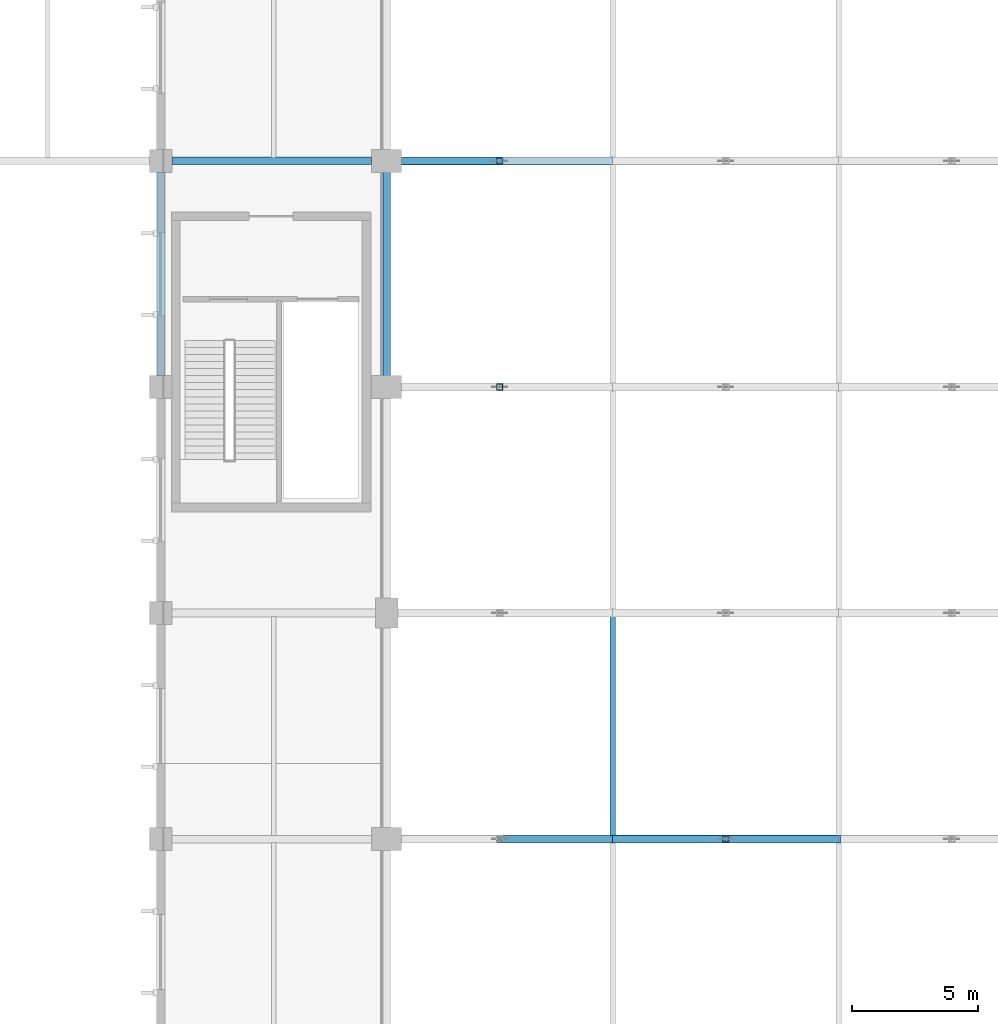
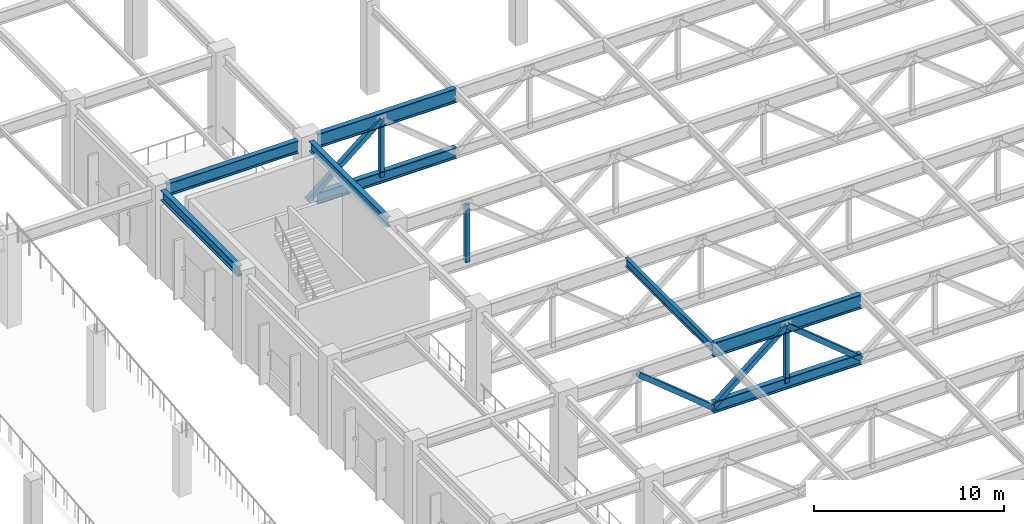
# One storey, part 21 of 223: 8 beams, 7 members.
"""IFC4 building model written with IfcOpenShell, lengths in metres."""

from ifc_helpers import new_model, si_unit, direction, frame, origin, origin_2d, place, context, subcontext, project, spatial, hollow_rectangle, i_section, extrude, material, material_profile, profile_set, type_object, element, save


model = new_model("IFC4")

# Units and contexts
model_context = context("Model", 3, precision=1e-05, world=origin(), true_north=direction((0.0, 1.0)))
body_context = subcontext(model_context, "Body", "Model", "MODEL_VIEW")
ifc_project = project(units=[si_unit("LENGTHUNIT", "METRE"), si_unit("AREAUNIT", "SQUARE_METRE"), si_unit("VOLUMEUNIT", "CUBIC_METRE"), si_unit("PLANEANGLEUNIT", "RADIAN"), si_unit("MASSUNIT", "GRAM", prefix="KILO")], contexts=[model_context])

# Site, building, storey
site_placement = place(None, origin())
site = spatial("IfcSite", under=ifc_project, at=site_placement, CompositionType="ELEMENT")
building_placement = place(site_placement, origin())
building = spatial("IfcBuilding", under=site, at=building_placement, Name="Dornveld Trade and Exhibition Forum", CompositionType="ELEMENT")
storey_placement = place(building_placement, frame((0.0, 0.0, 6.0)))
storey = spatial("IfcBuildingStorey", under=building, at=storey_placement, Name="L01", CompositionType="ELEMENT", Elevation=6.0)

# Beams
ifc_material_1 = material(Name="Steel S355J2", Category="steel")
ifc_material_profile_1 = material_profile(ifc_material_1, i_section(OverallWidth=0.300048828125, OverallDepth=0.64990234375, WebThickness=0.01611328125, FlangeThickness=0.031005859375, FilletRadius=0.027099609375, at=origin_2d()), Name="HEB 650")
ifc_profile_set_1 = profile_set([ifc_material_profile_1], Name="Steel S355J2")
beam_type_1 = type_object("IfcBeamType", Name="BM-GIR-HEB650", PredefinedType="USERDEFINED", material=ifc_profile_set_1)
for number, where, z_axis, x_axis, name in (
    (1, (18.0, 117.446044921875, 5.324951171875), (0.0, 1.0, 0.0), (-1.0, 0.0, 0.0), "L01 Y-girder 1134"),
    (2, (27.0, 117.446044921875, 5.31298828125), (0.0, 1.0, 0.0), (-1.0, 0.0, 0.0), "L01 Y-girder 1144"),
):
    element("IfcBeam", number, at=place(storey_placement, frame(where, z_axis=z_axis, x_axis=x_axis)), inside=storey, type_object=beam_type_1, Name=name, ObjectType="GIRDER", PredefinedType="USERDEFINED", context=body_context, shape_type="SweptSolid", body=[
        extrude(i_section(OverallWidth=0.300048828125, OverallDepth=0.64990234375, WebThickness=0.01611328125, FlangeThickness=0.031005859375, FilletRadius=0.027099609375, at=origin_2d()), origin(), (0.0, 0.0, 1.0), 8.10791015625),
    ])
ifc_material_2 = material(Name="Steel S355J2", Category="steel")
ifc_material_profile_2 = material_profile(ifc_material_2, i_section(OverallWidth=0.300048828125, OverallDepth=0.800048828125, WebThickness=0.017578125, FlangeThickness=0.032958984375, FilletRadius=0.030029296875, at=origin_2d()), Name="HEB 800")
ifc_profile_set_2 = profile_set([ifc_material_profile_2], Name="Steel S355J2")
beam_type_2 = type_object("IfcBeamType", Name="BM-GIR-HEB800", PredefinedType="USERDEFINED", material=ifc_profile_set_2)
beam_1_placement = place(storey_placement, frame((18.446044921875, 126.0, 5.25), z_axis=(1.0, 0.0, 0.0), x_axis=(0.0, 1.0, 0.0)))
element("IfcBeam", 3, at=beam_1_placement, inside=storey, type_object=beam_type_2, Name="L01 X-girder 1076", ObjectType="GIRDER", PredefinedType="USERDEFINED", context=body_context, shape_type="SweptSolid", body=[
    extrude(i_section(OverallWidth=0.300048828125, OverallDepth=0.800048828125, WebThickness=0.017578125, FlangeThickness=0.032958984375, FilletRadius=0.030029296875, at=origin_2d()), origin(), (0.0, 0.0, 1.0), 7.9580078125),
])
ifc_material_3 = material(Name="Steel S355J2", Category="steel")
ifc_material_profile_3 = material_profile(ifc_material_3, i_section(OverallWidth=0.2099609375, OverallDepth=0.550048828125, WebThickness=0.010986328125, FlangeThickness=0.01708984375, FilletRadius=0.02392578125, at=origin_2d()), Name="IPE 550")
ifc_profile_set_3 = profile_set([ifc_material_profile_3], Name="Steel S355J2")
beam_type_3 = type_object("IfcBeamType", Name="BM-SEC-550", PredefinedType="BEAM", material=ifc_profile_set_3)
beam_2_placement = place(storey_placement, frame((36.0, 99.0, 5.364990234375), z_axis=(0.0, 1.0, 0.0), x_axis=(-1.0, 0.0, 0.0)))
element("IfcBeam", 4, at=beam_2_placement, inside=storey, type_object=beam_type_3, Name="Hall 3 secondary deck beam 1381", PredefinedType="BEAM", context=body_context, shape_type="SweptSolid", body=[
    extrude(i_section(OverallWidth=0.2099609375, OverallDepth=0.550048828125, WebThickness=0.010986328125, FlangeThickness=0.01708984375, FilletRadius=0.02392578125, at=origin_2d()), origin(), (0.0, 0.0, 1.0), 9.0),
])
ifc_material_4 = material(Name="Steel S355J2", Category="steel")
ifc_material_profile_4 = material_profile(ifc_material_4, i_section(OverallWidth=0.303955078125, OverallDepth=0.716064453125, WebThickness=0.02099609375, FlangeThickness=0.0400390625, FilletRadius=0.027099609375, at=origin_2d()), Name="HEM 700")
ifc_profile_set_4 = profile_set([ifc_material_profile_4], Name="Steel S355J2")
beam_type_4 = type_object("IfcBeamType", Name="BM-TG-BOT700", PredefinedType="USERDEFINED", material=ifc_profile_set_4)
beam_3_placement = place(storey_placement, frame((36.0, 99.0, 1.5), z_axis=(1.0, 0.0, 0.0), x_axis=(0.0, 1.0, 0.0)))
element("IfcBeam", 5, at=beam_3_placement, inside=storey, type_object=beam_type_4, Name="Hall 3 transfer truss 7 bottom chord 2", ObjectType="GIRDER", PredefinedType="USERDEFINED", context=body_context, shape_type="SweptSolid", body=[
    extrude(i_section(OverallWidth=0.303955078125, OverallDepth=0.716064453125, WebThickness=0.02099609375, FlangeThickness=0.0400390625, FilletRadius=0.027099609375, at=origin_2d()), origin(), (0.0, 0.0, 1.0), 9.0),
])
beam_4_placement = place(storey_placement, frame((27.595947265625, 126.0, 1.5), z_axis=(1.0, 0.0, 0.0), x_axis=(0.0, 1.0, 0.0)))
element("IfcBeam", 6, at=beam_4_placement, inside=storey, type_object=beam_type_4, Name="Hall 3 transfer truss 10 bottom chord 1", ObjectType="GIRDER", PredefinedType="USERDEFINED", context=body_context, shape_type="SweptSolid", body=[
    extrude(i_section(OverallWidth=0.303955078125, OverallDepth=0.716064453125, WebThickness=0.02099609375, FlangeThickness=0.0400390625, FilletRadius=0.027099609375, at=origin_2d()), origin(), (0.0, 0.0, 1.0), 8.404052734375),
])
ifc_material_5 = material(Name="Steel S355J2", Category="steel")
ifc_material_profile_5 = material_profile(ifc_material_5, i_section(OverallWidth=0.302001953125, OverallDepth=0.909912109375, WebThickness=0.02099609375, FlangeThickness=0.0400390625, FilletRadius=0.030029296875, at=origin_2d()), Name="HEM 900")
ifc_profile_set_5 = profile_set([ifc_material_profile_5], Name="Steel S355J2")
beam_type_5 = type_object("IfcBeamType", Name="BM-TG-TOP900", PredefinedType="USERDEFINED", material=ifc_profile_set_5)
beam_5_placement = place(storey_placement, frame((36.0, 99.0, 5.18505859375), z_axis=(1.0, 0.0, 0.0), x_axis=(0.0, 1.0, 0.0)))
element("IfcBeam", 7, at=beam_5_placement, inside=storey, type_object=beam_type_5, Name="Hall 3 transfer truss 7 top chord 2", ObjectType="GIRDER", PredefinedType="USERDEFINED", context=body_context, shape_type="SweptSolid", body=[
    extrude(i_section(OverallWidth=0.302001953125, OverallDepth=0.909912109375, WebThickness=0.02099609375, FlangeThickness=0.0400390625, FilletRadius=0.030029296875, at=origin_2d()), origin(), (0.0, 0.0, 1.0), 9.0),
])
beam_6_placement = place(storey_placement, frame((27.595947265625, 126.0, 5.18505859375), z_axis=(1.0, 0.0, 0.0), x_axis=(0.0, 1.0, 0.0)))
element("IfcBeam", 8, at=beam_6_placement, inside=storey, type_object=beam_type_5, Name="Hall 3 transfer truss 10 top chord 1", ObjectType="GIRDER", PredefinedType="USERDEFINED", context=body_context, shape_type="SweptSolid", body=[
    extrude(i_section(OverallWidth=0.302001953125, OverallDepth=0.909912109375, WebThickness=0.02099609375, FlangeThickness=0.0400390625, FilletRadius=0.030029296875, at=origin_2d()), origin(), (0.0, 0.0, 1.0), 8.404052734375),
])

# Members
ifc_material_6 = material(Name="Steel S355J2", Category="steel")
ifc_material_profile_6 = material_profile(ifc_material_6, hollow_rectangle(XDim=0.25, YDim=0.25, WallThickness=0.012451171875, at=origin_2d()), Name="SHS 250x250x12.5")
ifc_profile_set_6 = profile_set([ifc_material_profile_6], Name="Steel S355J2")
member_type_1 = type_object("IfcMemberType", Name="MEM-XFER-STR", PredefinedType="STRUT", material=ifc_profile_set_6)
for number, where, z_axis, x_axis, name in (
    (9, (40.5, 99.0, 1.5), (0.0, 0.0, 1.0), (1.0, 0.0, 0.0), "Transfer truss 7 strut 114"),
    (10, (31.5, 117.0, 1.5), (0.0, 0.0, 1.0), (1.0, 0.0, 0.0), "Transfer truss 9 strut 147"),
    (11, (31.5, 126.0, 1.5), (0.0, 0.0, 1.0), (1.0, 0.0, 0.0), "Transfer truss 10 strut 165"),
):
    element("IfcMember", number, at=place(storey_placement, frame(where, z_axis=z_axis, x_axis=x_axis)), inside=storey, type_object=member_type_1, Name=name, PredefinedType="STRUT", context=body_context, shape_type="SweptSolid", body=[
        extrude(hollow_rectangle(XDim=0.25, YDim=0.25, WallThickness=0.012451171875, at=origin_2d()), origin(), (0.0, 0.0, 1.0), 3.68505859375),
    ])
ifc_material_7 = material(Name="Steel S355J2", Category="steel")
ifc_material_profile_7 = material_profile(ifc_material_7, hollow_rectangle(XDim=0.300048828125, YDim=0.300048828125, WallThickness=0.01611328125, at=origin_2d()), Name="SHS 300x300x16")
ifc_profile_set_7 = profile_set([ifc_material_profile_7], Name="Steel S355J2")
member_type_2 = type_object("IfcMemberType", Name="MEM-XFER-WEB", PredefinedType="BRACE", material=ifc_profile_set_7)
for number, where, z_axis, x_axis, name in (
    (12, (36.0, 99.0, 1.5), (-0.773684181611, 0.0, 0.633571453843), (0.0, -1.0, 0.0), "Transfer truss 7 web 110"),
    (13, (36.0, 99.0, 1.5), (0.773684181611, 0.0, 0.633571453843), (0.0, 1.0, 0.0), "Transfer truss 7 web 112"),
    (14, (45.0, 99.0, 1.5), (-0.773684181611, 0.0, 0.633571453843), (0.0, -1.0, 0.0), "Transfer truss 7 web 113"),
    (15, (27.0, 126.0, 1.5), (0.773684181611, 0.0, 0.633571453843), (0.0, 1.0, 0.0), "Transfer truss 10 web 163"),
):
    element("IfcMember", number, at=place(storey_placement, frame(where, z_axis=z_axis, x_axis=x_axis)), inside=storey, type_object=member_type_2, Name=name, PredefinedType="BRACE", context=body_context, shape_type="SweptSolid", body=[
        extrude(hollow_rectangle(XDim=0.300048828125, YDim=0.300048828125, WallThickness=0.01611328125, at=origin_2d()), origin(), (0.0, 0.0, 1.0), 5.81640625),
    ])

save(model, "model.ifc")
